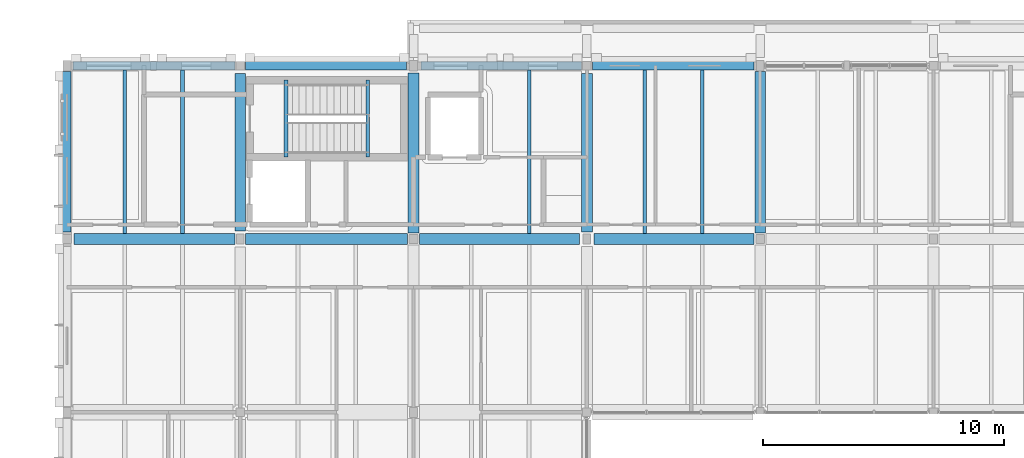
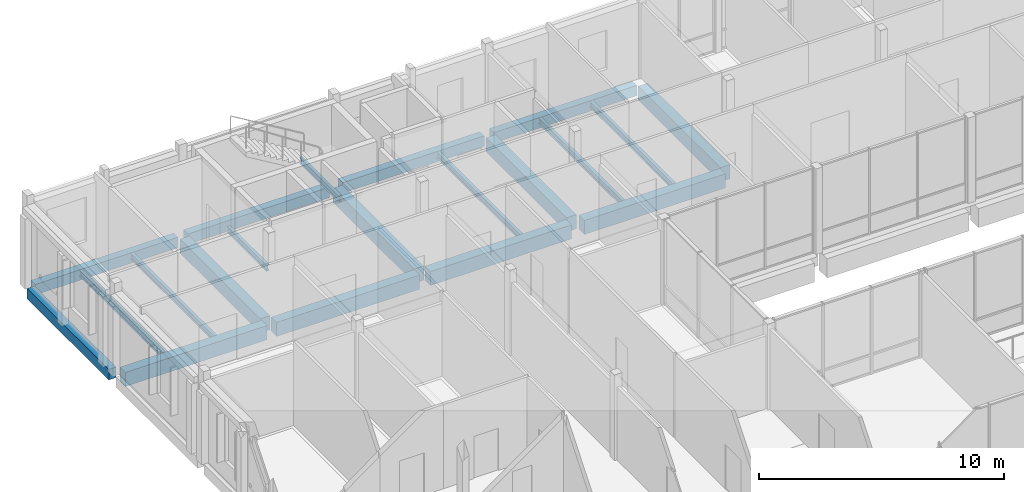
# One storey, part 43 of 146: 20 beams.
"""IFC4 building model written with IfcOpenShell, lengths in metres."""

from ifc_helpers import new_model, si_unit, direction, frame, origin, origin_2d, place, context, subcontext, project, spatial, rectangle, i_section, extrude, material, material_profile, profile_set, type_object, element, save


model = new_model("IFC4")

# Units and contexts
model_context = context("Model", 3, precision=1e-05, world=origin(), true_north=direction((0.0, 1.0)))
body_context = subcontext(model_context, "Body", "Model", "MODEL_VIEW")
ifc_project = project(units=[si_unit("LENGTHUNIT", "METRE"), si_unit("AREAUNIT", "SQUARE_METRE"), si_unit("VOLUMEUNIT", "CUBIC_METRE"), si_unit("PLANEANGLEUNIT", "RADIAN"), si_unit("MASSUNIT", "GRAM", prefix="KILO")], contexts=[model_context])

# Site, building, storey
site_placement = place(None, origin())
site = spatial("IfcSite", under=ifc_project, at=site_placement, CompositionType="ELEMENT")
building_placement = place(site_placement, origin())
building = spatial("IfcBuilding", under=site, at=building_placement, Name="Hawrajan Terrace Health Centre", CompositionType="ELEMENT")
storey_placement = place(building_placement, frame((0.0, 0.0, 4.5)))
storey = spatial("IfcBuildingStorey", under=building, at=storey_placement, Name="L01", CompositionType="ELEMENT", Elevation=4.5)

# Beams
ifc_material_1 = material(Name="Concrete C40/50", Category="concrete")
ifc_material_profile_1 = material_profile(ifc_material_1, rectangle(XDim=0.449951171875, YDim=0.699951171875, at=origin_2d()), Name="RC BM 450x700")
ifc_profile_set_1 = profile_set([ifc_material_profile_1], Name="Concrete C40/50")
beam_type_1 = type_object("IfcBeamType", Name="RCGirder_450x700", PredefinedType="BEAM", material=ifc_profile_set_1)
beam_1_placement = place(storey_placement, frame((4.89990234375, 52.60009765625, -0.64990234375), z_axis=(1.0, 0.0, 0.0), x_axis=(0.0, 1.0, 0.0)))
element("IfcBeam", 1, at=beam_1_placement, inside=storey, type_object=beam_type_1, Name="Beam BM-X-L01-W-01-Y7", PredefinedType="BEAM", context=body_context, shape_type="SweptSolid", body=[
    extrude(rectangle(XDim=0.449951171875, YDim=0.699951171875, at=origin_2d()), origin(), (0.0, 0.0, 1.0), 6.675048828125),
])
beam_2_placement = place(storey_placement, frame((12.02490234375, 52.60009765625, -0.64990234375), z_axis=(1.0, 0.0, 0.0), x_axis=(0.0, 1.0, 0.0)))
element("IfcBeam", 2, at=beam_2_placement, inside=storey, type_object=beam_type_1, Name="Beam BM-X-L01-W-02-Y7", PredefinedType="BEAM", context=body_context, shape_type="SweptSolid", body=[
    extrude(rectangle(XDim=0.449951171875, YDim=0.699951171875, at=origin_2d()), origin(), (0.0, 0.0, 1.0), 6.72509765625),
])
for number, where, z_axis, x_axis, name in (
    (3, (19.25, 52.60009765625, -0.64990234375), (1.0, 0.0, 0.0), (0.0, 1.0, 0.0), "Beam BM-X-L01-W-03-Y7"),
    (4, (26.5, 52.60009765625, -0.64990234375), (1.0, 0.0, 0.0), (0.0, 1.0, 0.0), "Beam BM-X-L01-W-04-Y7"),
):
    element("IfcBeam", number, at=place(storey_placement, frame(where, z_axis=z_axis, x_axis=x_axis)), inside=storey, type_object=beam_type_1, Name=name, PredefinedType="BEAM", context=body_context, shape_type="SweptSolid", body=[
        extrude(rectangle(XDim=0.449951171875, YDim=0.699951171875, at=origin_2d()), origin(), (0.0, 0.0, 1.0), 6.64990234375),
    ])
beam_3_placement = place(storey_placement, frame((11.800048828125, 52.925048828125, -0.64990234375), z_axis=(0.0, 1.0, 0.0), x_axis=(-1.0, 0.0, 0.0)))
element("IfcBeam", 5, at=beam_3_placement, inside=storey, type_object=beam_type_1, Name="Beam BM-Y-L01-W-X02-7", PredefinedType="BEAM", context=body_context, shape_type="SweptSolid", body=[
    extrude(rectangle(XDim=0.449951171875, YDim=0.699951171875, at=origin_2d()), origin(), (0.0, 0.0, 1.0), 6.550048828125),
])
beam_4_placement = place(storey_placement, frame((19.0, 52.85009765625, -0.64990234375), z_axis=(0.0, 1.0, 0.0), x_axis=(-1.0, 0.0, 0.0)))
element("IfcBeam", 6, at=beam_4_placement, inside=storey, type_object=beam_type_1, Name="Beam BM-Y-L01-W-X03-7", PredefinedType="BEAM", context=body_context, shape_type="SweptSolid", body=[
    extrude(rectangle(XDim=0.449951171875, YDim=0.699951171875, at=origin_2d()), origin(), (0.0, 0.0, 1.0), 6.64990234375),
])
beam_5_placement = place(storey_placement, frame((26.199951171875, 52.89990234375, -0.64990234375), z_axis=(0.0, 1.0, 0.0), x_axis=(-1.0, 0.0, 0.0)))
element("IfcBeam", 7, at=beam_5_placement, inside=storey, type_object=beam_type_1, Name="Beam BM-Y-L01-W-X04-7", PredefinedType="BEAM", context=body_context, shape_type="SweptSolid", body=[
    extrude(rectangle(XDim=0.449951171875, YDim=0.699951171875, at=origin_2d()), origin(), (0.0, 0.0, 1.0), 6.5751953125),
])
beam_6_placement = place(storey_placement, frame((33.39990234375, 52.85009765625, -0.64990234375), z_axis=(0.0, 1.0, 0.0), x_axis=(-1.0, 0.0, 0.0)))
element("IfcBeam", 8, at=beam_6_placement, inside=storey, type_object=beam_type_1, Name="Beam BM-Y-L01-W-X05-7", PredefinedType="BEAM", context=body_context, shape_type="SweptSolid", body=[
    extrude(rectangle(XDim=0.449951171875, YDim=0.699951171875, at=origin_2d()), origin(), (0.0, 0.0, 1.0), 6.699951171875),
])
ifc_material_profile_2 = material_profile(ifc_material_1, rectangle(XDim=0.35009765625, YDim=0.52001953125, at=origin_2d()), Name="RC SP 350x520")
ifc_profile_set_2 = profile_set([ifc_material_profile_2], Name="Concrete C40/50")
beam_type_2 = type_object("IfcBeamType", Name="RCSpandrel_350x520", PredefinedType="SPANDREL", material=ifc_profile_set_2)
beam_7_placement = place(storey_placement, frame((4.85009765625, 59.800048828125, -0.56005859375), z_axis=(1.0, 0.0, 0.0), x_axis=(0.0, 1.0, 0.0)))
element("IfcBeam", 9, at=beam_7_placement, inside=storey, type_object=beam_type_2, Name="Beam BM-X-L01-W-01-Y8", PredefinedType="SPANDREL", context=body_context, shape_type="SweptSolid", body=[
    extrude(rectangle(XDim=0.35009765625, YDim=0.52001953125, at=origin_2d()), origin(), (0.0, 0.0, 1.0), 6.724853515625),
])
for number, where, z_axis, x_axis, name in (
    (10, (12.02490234375, 59.800048828125, -0.56005859375), (1.0, 0.0, 0.0), (0.0, 1.0, 0.0), "Beam BM-X-L01-W-02-Y8"),
    (11, (19.300048828125, 59.800048828125, -0.56005859375), (1.0, 0.0, 0.0), (0.0, 1.0, 0.0), "Beam BM-X-L01-W-03-Y8"),
):
    element("IfcBeam", number, at=place(storey_placement, frame(where, z_axis=z_axis, x_axis=x_axis)), inside=storey, type_object=beam_type_2, Name=name, PredefinedType="SPANDREL", context=body_context, shape_type="SweptSolid", body=[
        extrude(rectangle(XDim=0.35009765625, YDim=0.52001953125, at=origin_2d()), origin(), (0.0, 0.0, 1.0), 6.675048828125),
    ])
beam_8_placement = place(storey_placement, frame((26.425048828125, 59.800048828125, -0.56005859375), z_axis=(1.0, 0.0, 0.0), x_axis=(0.0, 1.0, 0.0)))
element("IfcBeam", 12, at=beam_8_placement, inside=storey, type_object=beam_type_2, Name="Beam BM-X-L01-W-04-Y8", PredefinedType="SPANDREL", context=body_context, shape_type="SweptSolid", body=[
    extrude(rectangle(XDim=0.35009765625, YDim=0.52001953125, at=origin_2d()), origin(), (0.0, 0.0, 1.0), 6.724853515625),
])
beam_9_placement = place(storey_placement, frame((4.60009765625, 52.89990234375, -0.56005859375), z_axis=(0.0, 1.0, 0.0), x_axis=(-1.0, 0.0, 0.0)))
element("IfcBeam", 13, at=beam_9_placement, inside=storey, type_object=beam_type_2, Name="Beam BM-Y-L01-W-X01-7", PredefinedType="SPANDREL", context=body_context, shape_type="SweptSolid", body=[
    extrude(rectangle(XDim=0.35009765625, YDim=0.52001953125, at=origin_2d()), origin(), (0.0, 0.0, 1.0), 6.650146484375),
])
ifc_material_2 = material(Name="Steel S355", Category="steel")
ifc_material_profile_3 = material_profile(ifc_material_2, i_section(OverallWidth=0.14990234375, OverallDepth=0.300048828125, WebThickness=0.007080078125, FlangeThickness=0.0107421875, FilletRadius=0.014892578125, at=origin_2d()), Name="IPE 300")
ifc_profile_set_3 = profile_set([ifc_material_profile_3], Name="Steel S355")
beam_type_3 = type_object("IfcBeamType", Name="SteelBeam_IPE300", PredefinedType="JOIST", material=ifc_profile_set_3)
for number, where, z_axis, x_axis, name in (
    (14, (7.0, 52.824951171875, -0.449951171875), (0.0, 1.0, 0.0), (-1.0, 0.0, 0.0), "Secondary joist JST-L01-W-01-7-1"),
    (15, (9.39990234375, 52.824951171875, -0.449951171875), (0.0, 1.0, 0.0), (-1.0, 0.0, 0.0), "Secondary joist JST-L01-W-01-7-2"),
    (16, (23.800048828125, 52.824951171875, -0.449951171875), (0.0, 1.0, 0.0), (-1.0, 0.0, 0.0), "Secondary joist JST-L01-W-03-7-2"),
    (17, (28.60009765625, 52.824951171875, -0.449951171875), (0.0, 1.0, 0.0), (-1.0, 0.0, 0.0), "Secondary joist JST-L01-W-04-7-1"),
    (18, (31.0, 52.824951171875, -0.449951171875), (0.0, 1.0, 0.0), (-1.0, 0.0, 0.0), "Secondary joist JST-L01-W-04-7-2"),
):
    element("IfcBeam", number, at=place(storey_placement, frame(where, z_axis=z_axis, x_axis=x_axis)), inside=storey, type_object=beam_type_3, Name=name, PredefinedType="JOIST", context=body_context, shape_type="SweptSolid", body=[
        extrude(i_section(OverallWidth=0.14990234375, OverallDepth=0.300048828125, WebThickness=0.007080078125, FlangeThickness=0.0107421875, FilletRadius=0.014892578125, at=origin_2d()), origin(), (0.0, 0.0, 1.0), 6.800048828125),
    ])
for number, where, z_axis, x_axis, name in (
    (19, (13.699951171875, 56.0, -0.3701171875), (0.0, 1.0, 0.0), (-1.0, 0.0, 0.0), "Stair landing trimmer ST-1-L01-B0"),
    (20, (17.10009765625, 56.0, 1.8798828125), (0.0, 1.0, 0.0), (-1.0, 0.0, 0.0), "Stair half-landing trimmer ST-1-L01-B1"),
):
    element("IfcBeam", number, at=place(storey_placement, frame(where, z_axis=z_axis, x_axis=x_axis)), inside=storey, type_object=beam_type_3, Name=name, PredefinedType="JOIST", context=body_context, shape_type="SweptSolid", body=[
        extrude(i_section(OverallWidth=0.14990234375, OverallDepth=0.300048828125, WebThickness=0.007080078125, FlangeThickness=0.0107421875, FilletRadius=0.014892578125, at=origin_2d()), origin(), (0.0, 0.0, 1.0), 3.199951171875),
    ])

save(model, "model.ifc")
